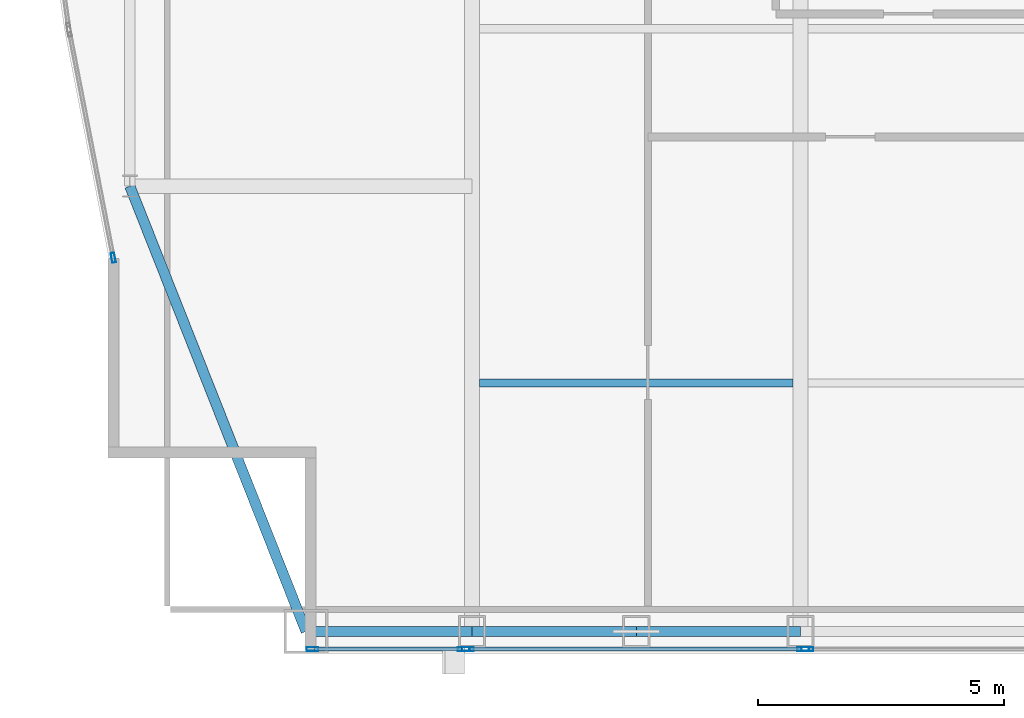
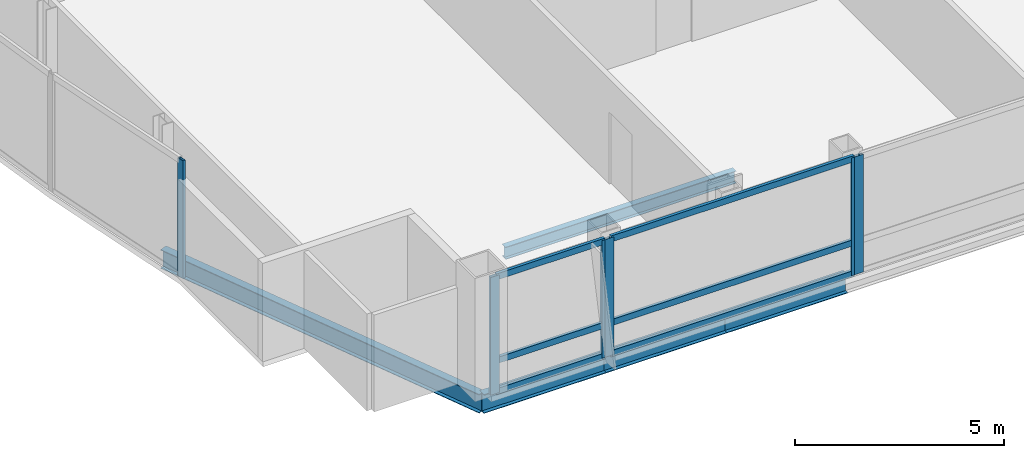
# One storey, part 4 of 27: 12 members, 5 beams, 4 elements without a shape of their own.
"""IFC4 building model written with IfcOpenShell, lengths in metres."""

from ifc_helpers import new_model, si_unit, direction, frame, origin, origin_2d, place, context, subcontext, project, spatial, hollow_rectangle, i_section, extrude, material, material_profile, profile_set, type_object, element, aggregate, save


model = new_model("IFC4")

# Units and contexts
model_context = context("Model", 3, precision=1e-05, world=origin(), true_north=direction((0.0, 1.0)))
body_context = subcontext(model_context, "Body", "Model", "MODEL_VIEW")
ifc_project = project(units=[si_unit("LENGTHUNIT", "METRE"), si_unit("AREAUNIT", "SQUARE_METRE"), si_unit("VOLUMEUNIT", "CUBIC_METRE"), si_unit("PLANEANGLEUNIT", "RADIAN"), si_unit("MASSUNIT", "GRAM", prefix="KILO")], contexts=[model_context])

# Site, building, storey
site_placement = place(None, origin())
site = spatial("IfcSite", under=ifc_project, at=site_placement, CompositionType="ELEMENT")
building_placement = place(site_placement, origin())
building = spatial("IfcBuilding", under=site, at=building_placement, Name="Khoronbel Lancet Exchange", CompositionType="ELEMENT")
storey_placement = place(building_placement, frame((0.0, 0.0, 332.60009765625)))
storey = spatial("IfcBuildingStorey", under=building, at=storey_placement, Name="L86", CompositionType="ELEMENT", Elevation=332.60009765625)

# Beams
ifc_material_1 = material(Name="Steel S355", Category="steel")
ifc_material_profile_1 = material_profile(ifc_material_1, i_section(OverallWidth=0.169921875, OverallDepth=0.360107421875, WebThickness=0.008056640625, FlangeThickness=0.0126953125, at=origin_2d()), Name="IPE 360")
ifc_profile_set_1 = profile_set([ifc_material_profile_1], Name="Steel S355")
beam_type_1 = type_object("IfcBeamType", Name="BM-BJ6", PredefinedType="JOIST", material=ifc_profile_set_1)
beam_1_placement = place(storey_placement, frame((18.375, 15.199951171875, -0.340087890625), z_axis=(1.0, 0.0, 0.0), x_axis=(0.0, 1.0, 0.0)))
element("IfcBeam", 1, at=beam_1_placement, inside=storey, type_object=beam_type_1, Name="Level L86 secondary composite joist J01", PredefinedType="JOIST", context=body_context, shape_type="SweptSolid", body=[
    extrude(i_section(OverallWidth=0.169921875, OverallDepth=0.360107421875, WebThickness=0.008056640625, FlangeThickness=0.0126953125, at=origin_2d()), origin(), (0.0, 0.0, 1.0), 6.375),
])
ifc_material_profile_2 = material_profile(ifc_material_1, i_section(OverallWidth=0.2099609375, OverallDepth=0.550048828125, WebThickness=0.010986328125, FlangeThickness=0.01708984375, at=origin_2d()), Name="IPE 550")
ifc_profile_set_2 = profile_set([ifc_material_profile_2], Name="Steel S355")
beam_type_2 = type_object("IfcBeamType", Name="BM-BSP3", PredefinedType="SPANDREL", material=ifc_profile_set_2)
beam_2_placement = place(storey_placement, frame((14.85009765625, 10.14990234375, -0.43505859375), z_axis=(1.0, 0.0, 0.0), x_axis=(0.0, 1.0, 0.0)))
element("IfcBeam", 2, at=beam_2_placement, inside=storey, type_object=beam_type_2, Name="Level L86 perimeter spandrel beam SP01", PredefinedType="SPANDREL", context=body_context, shape_type="SweptSolid", body=[
    extrude(i_section(OverallWidth=0.2099609375, OverallDepth=0.550048828125, WebThickness=0.010986328125, FlangeThickness=0.01708984375, at=origin_2d()), origin(), (0.0, 0.0, 1.0), 3.375),
])
for number, where, z_axis, x_axis, name in (
    (3, (18.22509765625, 10.14990234375, -0.43505859375), (1.0, 0.0, 0.0), (0.0, 1.0, 0.0), "Level L86 perimeter spandrel beam SP02"),
    (4, (21.5625, 10.14990234375, -0.43505859375), (1.0, 0.0, 0.0), (0.0, 1.0, 0.0), "Level L86 perimeter spandrel beam SP03"),
):
    element("IfcBeam", number, at=place(storey_placement, frame(where, z_axis=z_axis, x_axis=x_axis)), inside=storey, type_object=beam_type_2, Name=name, PredefinedType="SPANDREL", context=body_context, shape_type="SweptSolid", body=[
        extrude(i_section(OverallWidth=0.2099609375, OverallDepth=0.550048828125, WebThickness=0.010986328125, FlangeThickness=0.01708984375, at=origin_2d()), origin(), (0.0, 0.0, 1.0), 3.33740234375),
    ])
beam_3_placement = place(storey_placement, frame((11.27001953125, 19.199951171875, -0.43505859375), z_axis=(0.367850095026, -0.92988510451, 0.0), x_axis=(0.92988510451, 0.367850095026, 0.0)))
element("IfcBeam", 5, at=beam_3_placement, inside=storey, type_object=beam_type_2, Name="Level L86 perimeter spandrel beam SP19", PredefinedType="SPANDREL", context=body_context, shape_type="SweptSolid", body=[
    extrude(i_section(OverallWidth=0.2099609375, OverallDepth=0.550048828125, WebThickness=0.010986328125, FlangeThickness=0.01708984375, at=origin_2d()), origin(), (0.0, 0.0, 1.0), 9.732421875),
])

# Curtain wall, members
ifc_material_2 = material(Name="Low-E Solar Control Insulating Glass", Category="glass")
curtain_wall_type_1 = type_object("IfcCurtainWallType", Name="CW-3", PredefinedType="NOTDEFINED", material=ifc_material_2)
curtain_wall_1_placement = place(storey_placement, origin())
curtain_wall_1 = element("IfcCurtainWall", 6, at=curtain_wall_1_placement, inside=storey, type_object=curtain_wall_type_1, Name="Unitised curtain wall CW-L86-SWV", PredefinedType="NOTDEFINED")
ifc_material_3 = material(Name="Bronze-Anodised Aluminium 6063-T6", Category="aluminium")
ifc_material_profile_3 = material_profile(ifc_material_3, hollow_rectangle(XDim=0.0849609375, YDim=0.239990234375, WallThickness=0.006103515625, at=origin_2d()), Name="ALU MULLION 85x240")
ifc_profile_set_3 = profile_set([ifc_material_profile_3], Name="Bronze-Anodised Aluminium 6063-T6")
member_type_1 = type_object("IfcMemberType", Name="MEM-CWM1", PredefinedType="MULLION", material=ifc_profile_set_3)
member_1_placement = place(storey_placement, frame((14.982421875, 9.7900390625, 0.0), z_axis=(0.0, 0.0, 1.0), x_axis=(0.0, 1.0, 0.0)))
member_1 = element("IfcMember", 7, at=member_1_placement, type_object=member_type_1, Name="CW3 mullion 1", PredefinedType="MULLION", context=body_context, shape_type="SweptSolid", body=[
    extrude(hollow_rectangle(XDim=0.0849609375, YDim=0.239990234375, WallThickness=0.006103515625, at=origin_2d()), origin(), (0.0, 0.0, 1.0), 3.43994140625),
])
member_2_placement = place(storey_placement, frame((18.0576171875, 9.7900390625, 0.0), z_axis=(0.0, 0.0, 1.0), x_axis=(0.0, 1.0, 0.0)))
member_2 = element("IfcMember", 8, at=member_2_placement, type_object=member_type_1, Name="CW3 mullion 2", PredefinedType="MULLION", context=body_context, shape_type="SweptSolid", body=[
    extrude(hollow_rectangle(XDim=0.0849609375, YDim=0.239990234375, WallThickness=0.006103515625, at=origin_2d()), origin(), (0.0, 0.0, 1.0), 3.43994140625),
])

curtain_wall_2_placement = place(storey_placement, origin())
curtain_wall_2 = element("IfcCurtainWall", 9, at=curtain_wall_2_placement, inside=storey, type_object=curtain_wall_type_1, Name="Unitised curtain wall CW-L86-SWB", PredefinedType="NOTDEFINED")
member_3_placement = place(storey_placement, frame((18.142578125, 9.7900390625, 0.0), z_axis=(0.0, 0.0, 1.0), x_axis=(0.0, 1.0, 0.0)))
member_3 = element("IfcMember", 10, at=member_3_placement, type_object=member_type_1, Name="CW3 mullion 1", PredefinedType="MULLION", context=body_context, shape_type="SweptSolid", body=[
    extrude(hollow_rectangle(XDim=0.0849609375, YDim=0.239990234375, WallThickness=0.006103515625, at=origin_2d()), origin(), (0.0, 0.0, 1.0), 3.43994140625),
])
member_4_placement = place(storey_placement, frame((24.95751953125, 9.7900390625, 0.0), z_axis=(0.0, 0.0, 1.0), x_axis=(0.0, 1.0, 0.0)))
member_4 = element("IfcMember", 11, at=member_4_placement, type_object=member_type_1, Name="CW3 mullion 2", PredefinedType="MULLION", context=body_context, shape_type="SweptSolid", body=[
    extrude(hollow_rectangle(XDim=0.0849609375, YDim=0.239990234375, WallThickness=0.006103515625, at=origin_2d()), origin(), (0.0, 0.0, 1.0), 3.43994140625),
])

# Curtain wall, member
curtain_wall_3_placement = place(storey_placement, origin())
curtain_wall_3 = element("IfcCurtainWall", 12, at=curtain_wall_3_placement, inside=storey, type_object=curtain_wall_type_1, Name="Unitised curtain wall CW-L86-SCV", PredefinedType="NOTDEFINED")
member_5_placement = place(storey_placement, frame((25.04248046875, 9.7900390625, 0.0), z_axis=(0.0, 0.0, 1.0), x_axis=(0.0, 1.0, 0.0)))
member_5 = element("IfcMember", 13, at=member_5_placement, type_object=member_type_1, Name="CW3 mullion 1", PredefinedType="MULLION", context=body_context, shape_type="SweptSolid", body=[
    extrude(hollow_rectangle(XDim=0.0849609375, YDim=0.239990234375, WallThickness=0.006103515625, at=origin_2d()), origin(), (0.0, 0.0, 1.0), 3.43994140625),
])
aggregate(curtain_wall_3, [member_5])

curtain_wall_type_2 = type_object("IfcCurtainWallType", Name="CW-4", PredefinedType="NOTDEFINED", material=ifc_material_2)
curtain_wall_4_placement = place(storey_placement, origin())
curtain_wall_4 = element("IfcCurtainWall", 14, at=curtain_wall_4_placement, inside=storey, type_object=curtain_wall_type_2, Name="Unitised curtain wall CW-L86-E04", PredefinedType="NOTDEFINED")
ifc_material_profile_4 = material_profile(ifc_material_3, hollow_rectangle(XDim=0.074951171875, YDim=0.199951171875, WallThickness=0.0048828125, at=origin_2d()), Name="ALU MULLION 75x200")
ifc_profile_set_4 = profile_set([ifc_material_profile_4], Name="Bronze-Anodised Aluminium 6063-T6")
member_type_2 = type_object("IfcMemberType", Name="MEM-CWM2", PredefinedType="MULLION", material=ifc_profile_set_4)
member_6_placement = place(storey_placement, frame((10.932861328125, 17.74560546875, 0.0), z_axis=(0.0, 0.0, 1.0), x_axis=(-0.981647628416, -0.190703785032, 0.0)))
member_6 = element("IfcMember", 15, at=member_6_placement, type_object=member_type_2, Name="CW4 mullion 1", PredefinedType="MULLION", context=body_context, shape_type="SweptSolid", body=[
    extrude(hollow_rectangle(XDim=0.074951171875, YDim=0.199951171875, WallThickness=0.0048828125, at=origin_2d()), origin(), (0.0, 0.0, 1.0), 3.43994140625),
])
aggregate(curtain_wall_4, [member_6])

# Member
ifc_material_profile_5 = material_profile(ifc_material_3, hollow_rectangle(XDim=0.0849609375, YDim=0.179931640625, WallThickness=0.0048828125, at=origin_2d()), Name="ALU TRANSOM 85x180")
ifc_profile_set_5 = profile_set([ifc_material_profile_5], Name="Bronze-Anodised Aluminium 6063-T6")
member_type_3 = type_object("IfcMemberType", Name="MEM-CWT1", PredefinedType="USERDEFINED", material=ifc_profile_set_5)
member_7_placement = place(storey_placement, frame((15.02490234375, 9.7900390625, 0.04248046875), z_axis=(1.0, 0.0, 0.0), x_axis=(0.0, 1.0, 0.0)))
member_7 = element("IfcMember", 16, at=member_7_placement, type_object=member_type_3, Name="CW3 transom 1.1", ObjectType="TRANSOM", PredefinedType="USERDEFINED", context=body_context, shape_type="SweptSolid", body=[
    extrude(hollow_rectangle(XDim=0.0849609375, YDim=0.179931640625, WallThickness=0.0048828125, at=origin_2d()), origin(), (0.0, 0.0, 1.0), 2.989990234375),
])

member_8_placement = place(storey_placement, frame((15.02490234375, 9.7900390625, 0.949951171875), z_axis=(1.0, 0.0, 0.0), x_axis=(0.0, 1.0, 0.0)))
member_8 = element("IfcMember", 17, at=member_8_placement, type_object=member_type_3, Name="CW3 transom 1.2", ObjectType="TRANSOM", PredefinedType="USERDEFINED", context=body_context, shape_type="SweptSolid", body=[
    extrude(hollow_rectangle(XDim=0.0849609375, YDim=0.179931640625, WallThickness=0.0048828125, at=origin_2d()), origin(), (0.0, 0.0, 1.0), 2.989990234375),
])

member_9_placement = place(storey_placement, frame((15.02490234375, 9.7900390625, 3.3974609375), z_axis=(1.0, 0.0, 0.0), x_axis=(0.0, 1.0, 0.0)))
member_9 = element("IfcMember", 18, at=member_9_placement, type_object=member_type_3, Name="CW3 transom 1.3", ObjectType="TRANSOM", PredefinedType="USERDEFINED", context=body_context, shape_type="SweptSolid", body=[
    extrude(hollow_rectangle(XDim=0.0849609375, YDim=0.179931640625, WallThickness=0.0048828125, at=origin_2d()), origin(), (0.0, 0.0, 1.0), 2.989990234375),
])

aggregate(curtain_wall_1, [member_1, member_2, member_7, member_8, member_9])

member_10_placement = place(storey_placement, frame((18.18505859375, 9.7900390625, 0.04248046875), z_axis=(1.0, 0.0, 0.0), x_axis=(0.0, 1.0, 0.0)))
member_10 = element("IfcMember", 19, at=member_10_placement, type_object=member_type_3, Name="CW3 transom 1.1", ObjectType="TRANSOM", PredefinedType="USERDEFINED", context=body_context, shape_type="SweptSolid", body=[
    extrude(hollow_rectangle(XDim=0.0849609375, YDim=0.179931640625, WallThickness=0.0048828125, at=origin_2d()), origin(), (0.0, 0.0, 1.0), 6.72998046875),
])

member_11_placement = place(storey_placement, frame((18.18505859375, 9.7900390625, 0.949951171875), z_axis=(1.0, 0.0, 0.0), x_axis=(0.0, 1.0, 0.0)))
member_11 = element("IfcMember", 20, at=member_11_placement, type_object=member_type_3, Name="CW3 transom 1.2", ObjectType="TRANSOM", PredefinedType="USERDEFINED", context=body_context, shape_type="SweptSolid", body=[
    extrude(hollow_rectangle(XDim=0.0849609375, YDim=0.179931640625, WallThickness=0.0048828125, at=origin_2d()), origin(), (0.0, 0.0, 1.0), 6.72998046875),
])

member_12_placement = place(storey_placement, frame((18.18505859375, 9.7900390625, 3.3974609375), z_axis=(1.0, 0.0, 0.0), x_axis=(0.0, 1.0, 0.0)))
member_12 = element("IfcMember", 21, at=member_12_placement, type_object=member_type_3, Name="CW3 transom 1.3", ObjectType="TRANSOM", PredefinedType="USERDEFINED", context=body_context, shape_type="SweptSolid", body=[
    extrude(hollow_rectangle(XDim=0.0849609375, YDim=0.179931640625, WallThickness=0.0048828125, at=origin_2d()), origin(), (0.0, 0.0, 1.0), 6.72998046875),
])

aggregate(curtain_wall_2, [member_3, member_4, member_10, member_11, member_12])

save(model, "model.ifc")
